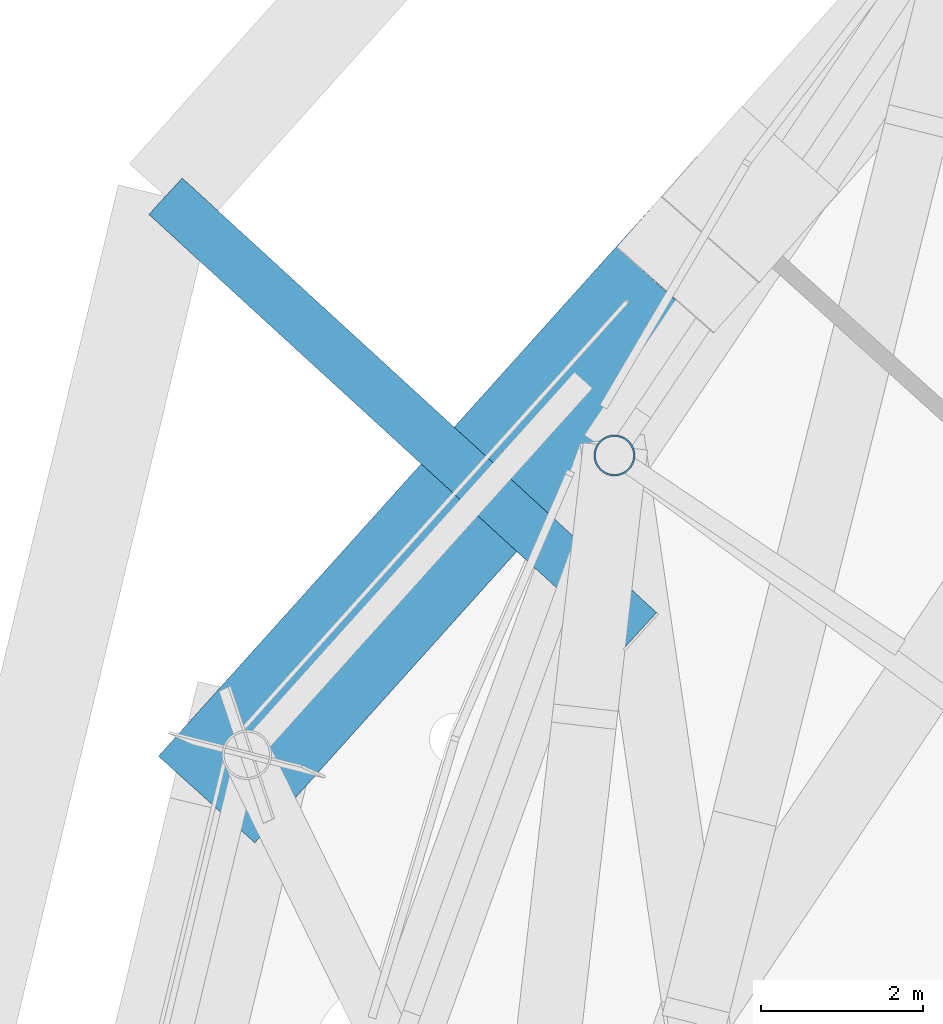
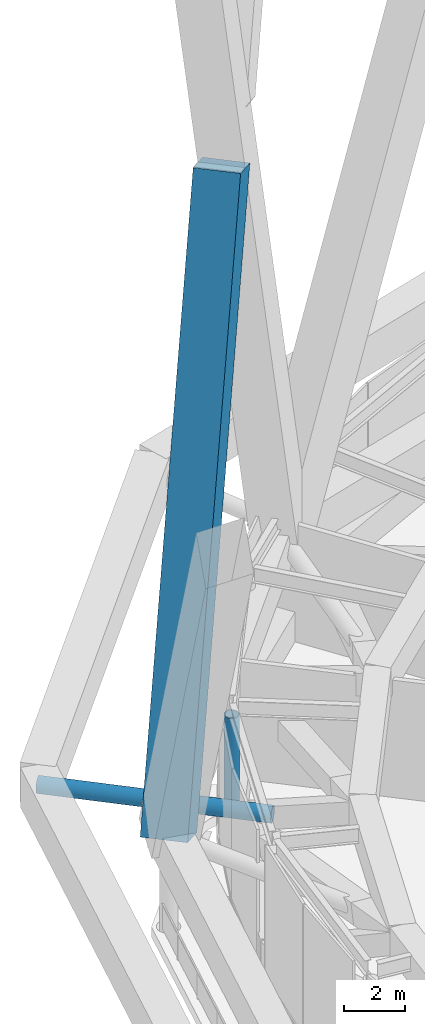
# One storey, part 23 of 65: 3 members.
"""IFC4 building model written with IfcOpenShell, lengths in metres."""

import ifcopenshell
import ifcopenshell.guid

model = None  # the IFC model being written
_history = None  # IfcOwnerHistory: only IFC2X3 demands one
_inside = {}  # id of a spatial element -> (the spatial element, [elements in it])
_under = {}  # id of a project, library or spatial element -> (it, [spatial elements below it])
_declared = {}  # id of a project -> (the project, [libraries it declares])
_typed = {}  # id of a type object -> (the type object, [elements of that type])
_made_of = {}  # id of a material, layer set ... -> (it, [elements and type objects made of it])


def new_model(schema):
    """Start an empty IFC model of exactly this schema.

    Asked for "IFC4X3", IfcOpenShell would pick the latest addendum, in which some entities
    have other attributes; the version numbers below select the first issue.
    IFC2X3 requires an IfcOwnerHistory on every rooted entity: one is made here for all.
    """
    global model, _history
    if schema == "IFC4X3":
        model = ifcopenshell.file(schema_version=(4, 3, 0, 0))
    else:
        model = ifcopenshell.file(schema=schema)
    _inside.clear()
    _under.clear()
    _declared.clear()
    _typed.clear()
    _made_of.clear()
    _history = None
    if model.schema == "IFC2X3":
        org = make("IfcOrganization", Name="unknown")
        user = make(
            "IfcPersonAndOrganization",
            ThePerson=make("IfcPerson", FamilyName="unknown"),
            TheOrganization=org,
        )
        app = make(
            "IfcApplication",
            ApplicationDeveloper=org,
            Version="unknown",
            ApplicationFullName="unknown",
            ApplicationIdentifier="unknown",
        )
        _history = make(
            "IfcOwnerHistory",
            OwningUser=user,
            OwningApplication=app,
            ChangeAction="ADDED",
            CreationDate=0,
        )
    return model


def make(cls, **values):
    """One entity of the class cls with the attributes given. An attribute that is None is left unset."""
    return model.create_entity(
        cls, **{name: value for name, value in values.items() if value is not None}
    )


def rooted(cls, **values):
    """An entity with a GlobalId (a new one), such as an element, a storey or a relation."""
    return make(cls, GlobalId=ifcopenshell.guid.new(), OwnerHistory=_history, **values)


def si_unit(unit_type, name, prefix=None):
    """IfcSIUnit, for example si_unit("LENGTHUNIT", "METRE", prefix="MILLI")."""
    return make("IfcSIUnit", UnitType=unit_type, Prefix=prefix, Name=name)


def assignment(units):
    """IfcUnitAssignment: the units of a project."""
    return None if units is None else make("IfcUnitAssignment", Units=units)


def point(xyz):
    """IfcCartesianPoint."""
    return None if xyz is None else make("IfcCartesianPoint", Coordinates=xyz)


def direction(xyz):
    """IfcDirection."""
    return None if xyz is None else make("IfcDirection", DirectionRatios=xyz)


def frame(location, z_axis=None, x_axis=None):
    """IfcAxis2Placement3D, a coordinate frame: its origin and axes. An axis left out is left unset."""
    return make(
        "IfcAxis2Placement3D",
        Location=point(location),
        Axis=direction(z_axis),
        RefDirection=direction(x_axis),
    )


def frame_2d(location, x_axis=None):
    """IfcAxis2Placement2D, a coordinate frame in the plane: its origin and x axis."""
    return make(
        "IfcAxis2Placement2D", Location=point(location), RefDirection=direction(x_axis)
    )


def origin():
    """The frame at (0, 0, 0) with its axes left unset."""
    return frame((0.0, 0.0, 0.0))


def origin_2d():
    """The frame at (0, 0) in the plane with its x axis left unset."""
    return frame_2d((0.0, 0.0))


def place(relative_to, where):
    """IfcLocalPlacement: puts the frame where relative to a parent placement (None: the world)."""
    return make(
        "IfcLocalPlacement", PlacementRelTo=relative_to, RelativePlacement=where
    )


def context(
    kind, dimensions, precision=None, world=None, true_north=None, identifier=None
):
    """IfcGeometricRepresentationContext, for example the 3D "Model" context."""
    return make(
        "IfcGeometricRepresentationContext",
        ContextIdentifier=identifier,
        ContextType=kind,
        CoordinateSpaceDimension=dimensions,
        Precision=precision,
        WorldCoordinateSystem=world,
        TrueNorth=true_north,
    )


def subcontext(parent, identifier, kind, view, scale=None):
    """IfcGeometricRepresentationSubContext, for example "Body" below "Model"."""
    return make(
        "IfcGeometricRepresentationSubContext",
        ContextIdentifier=identifier,
        ContextType=kind,
        ParentContext=parent,
        TargetScale=scale,
        TargetView=view,
    )


def project(units=None, contexts=None):
    """IfcProject with its units and contexts."""
    return rooted(
        "IfcProject",
        Name="project",
        RepresentationContexts=contexts,
        UnitsInContext=assignment(units),
    )


def spatial(cls, under=None, at=None, **own):
    """A site, building, storey or space (cls), placed at a placement, below another one or the project."""
    s = rooted(cls, ObjectPlacement=at, **own)
    if under is not None:
        _under.setdefault(under.id(), (under, []))[1].append(s)
    return s


def profile(cls, at=None, kind="AREA", **sizes):
    """A parametric profile (cls). Its sizes go by their IFC names, for example OverallWidth=200.0."""
    return make(cls, ProfileType=kind, Position=at, **sizes)


def rectangle(**sizes):
    """IfcRectangleProfileDef."""
    return profile("IfcRectangleProfileDef", **sizes)


def hollow_circle(**sizes):
    """IfcCircleHollowProfileDef."""
    return profile("IfcCircleHollowProfileDef", **sizes)


def extrude(swept, where, along, depth):
    """IfcExtrudedAreaSolid: the profile swept, set in the frame where, extruded along a direction by depth."""
    return make(
        "IfcExtrudedAreaSolid",
        SweptArea=swept,
        Position=where,
        ExtrudedDirection=direction(along),
        Depth=depth,
    )


def shape(context_of_items, identifier, shape_type, items):
    """IfcShapeRepresentation: the items that make up one representation, for example the "Body"."""
    return make(
        "IfcShapeRepresentation",
        ContextOfItems=context_of_items,
        RepresentationIdentifier=identifier,
        RepresentationType=shape_type,
        Items=items,
    )


def material(Name=None, Category=None):
    """IfcMaterial."""
    return make("IfcMaterial", Name=Name, Category=Category)


def material_profile(
    of_material, cross_section, Name=None, Category=None, Priority=None
):
    """IfcMaterialProfile: a cross section and its material."""
    return make(
        "IfcMaterialProfile",
        Name=Name,
        Material=of_material,
        Profile=cross_section,
        Priority=Priority,
        Category=Category,
    )


def profile_set(profiles, Name=None, composite=None):
    """IfcMaterialProfileSet."""
    return make(
        "IfcMaterialProfileSet",
        Name=Name,
        MaterialProfiles=profiles,
        CompositeProfile=composite,
    )


def made_of(thing, what):
    """Note that an element or type object is made of a material, layer set ...; save() writes the relation."""
    if what is not None:
        _made_of.setdefault(what.id(), (what, []))[1].append(thing)
    return thing


def type_object(cls, material=None, **own):
    """A type object (cls), such as IfcWallType, which elements share."""
    return made_of(rooted(cls, **own), material)


def element(
    cls,
    number,
    at=None,
    inside=None,
    cuts=None,
    type_object=None,
    material=None,
    context=None,
    identifier="Body",
    shape_type=None,
    held_by="IfcProductDefinitionShape",
    body=None,
    shapes=None,
    **own,
):
    """One element of the class cls, such as IfcWall. Its Tag is "e" and its number.

    at: its placement. inside: the storey or other place that contains it. cuts: it is an
    opening in that element (IfcRelVoidsElement). A single representation is given by context,
    identifier, shape_type and body (its items); several are given by shapes. held_by: the class
    of the entity that holds the representations. save() writes the other relations.
    """
    e = rooted(cls, Tag="e%d" % number, ObjectPlacement=at, **own)
    if body is not None:
        shapes = [shape(context, identifier, shape_type, body)]
    if shapes is not None:
        e.Representation = make(held_by, Representations=shapes)
    if inside is not None:
        _inside.setdefault(inside.id(), (inside, []))[1].append(e)
    if cuts is not None:
        rooted(
            "IfcRelVoidsElement", RelatingBuildingElement=cuts, RelatedOpeningElement=e
        )
    if type_object is not None:
        _typed.setdefault(type_object.id(), (type_object, []))[1].append(e)
    return made_of(e, material)


def aggregate(whole, parts):
    """IfcRelAggregates: a whole, such as a stair, and the parts it consists of."""
    return rooted("IfcRelAggregates", RelatingObject=whole, RelatedObjects=parts)


def save(model, path):
    """Write the relations noted so far, then the file.

    IfcRelAggregates (storeys below a building ...), IfcRelContainedInSpatialStructure (elements
    in a storey), IfcRelDefinesByType, IfcRelAssociatesMaterial and IfcRelDeclares: one each for
    every whole, place, type object, material and project.
    """
    for whole, parts in _under.values():
        aggregate(whole, parts)
    for where, things in _inside.values():
        rooted(
            "IfcRelContainedInSpatialStructure",
            RelatedElements=things,
            RelatingStructure=where,
        )
    for kind, things in _typed.values():
        rooted("IfcRelDefinesByType", RelatedObjects=things, RelatingType=kind)
    for what, things in _made_of.values():
        rooted("IfcRelAssociatesMaterial", RelatedObjects=things, RelatingMaterial=what)
    for by, libraries in _declared.values():
        rooted("IfcRelDeclares", RelatingContext=by, RelatedDefinitions=libraries)
    model.write(path)


model = new_model("IFC4")

# Units and contexts
model_context = context("Model", 3, precision=1e-05, world=origin(), true_north=direction((0.0, 1.0)))
body_context = subcontext(model_context, "Body", "Model", "MODEL_VIEW")
ifc_project = project(units=[si_unit("LENGTHUNIT", "METRE"), si_unit("AREAUNIT", "SQUARE_METRE"), si_unit("VOLUMEUNIT", "CUBIC_METRE"), si_unit("PLANEANGLEUNIT", "RADIAN"), si_unit("MASSUNIT", "GRAM", prefix="KILO")], contexts=[model_context])

# Site, building, storey
site_placement = place(None, origin())
site = spatial("IfcSite", under=ifc_project, at=site_placement, CompositionType="ELEMENT")
building_placement = place(site_placement, origin())
building = spatial("IfcBuilding", under=site, at=building_placement, Name="Nagisa Residences", CompositionType="ELEMENT")
storey_placement = place(building_placement, frame((0.0, 0.0, 114.0)))
storey = spatial("IfcBuildingStorey", under=building, at=storey_placement, Name="L28", CompositionType="ELEMENT", Elevation=114.0)

# Members
ifc_material_1 = material(Name="Concrete C80", Category="concrete")
ifc_material_profile_1 = material_profile(ifc_material_1, rectangle(XDim=1.60009765625, YDim=1.60009765625, at=origin_2d()), Name="C80 1600x1600")
ifc_profile_set_1 = profile_set([ifc_material_profile_1], Name="Concrete C80")
member_type_1 = type_object("IfcMemberType", Name="Cage diagonal 3 C80 1600x1600", PredefinedType="BRACE", material=ifc_profile_set_1)
member_1_placement = place(storey_placement, frame((-29.8896484375, 14.9296875, 3.699951171875), z_axis=(0.247785828674, 0.275736104391, 0.928747427368), x_axis=(-0.743799155472, 0.668403183953, 0.0)))
element("IfcMember", 1, at=member_1_placement, inside=storey, type_object=member_type_1, Name="mem:L28:cg3d010a", PredefinedType="BRACE", context=body_context, shape_type="SweptSolid", body=[
    extrude(rectangle(XDim=1.60009765625, YDim=1.60009765625, at=origin_2d()), origin(), (0.0, 0.0, 1.0), 22.8154296875),
])
ifc_material_2 = material(Name="Steel ASTM A572 Gr 65", Category="steel")
ifc_material_profile_2 = material_profile(ifc_material_2, hollow_circle(Radius=0.304931640625, WallThickness=0.02490234375, at=origin_2d()), Name="CHS 610x25")
ifc_profile_set_2 = profile_set([ifc_material_profile_2], Name="Steel ASTM A572 Gr 65")
member_type_2 = type_object("IfcMemberType", Name="Cage strut CHS 610x25", PredefinedType="STRUT", material=ifc_profile_set_2)
member_2_placement = place(storey_placement, frame((-30.89404296875, 21.8251953125, 1.89990234375), z_axis=(0.73743729435, -0.675415603094, 0.0), x_axis=(0.675415603094, 0.73743729435, 0.0)))
element("IfcMember", 2, at=member_2_placement, inside=storey, type_object=member_type_2, Name="mem:L28:bt2st2a06", PredefinedType="STRUT", context=body_context, shape_type="SweptSolid", body=[
    extrude(hollow_circle(Radius=0.304931640625, WallThickness=0.02490234375, at=origin_2d()), origin(), (0.0, 0.0, 1.0), 7.943603515625),
])
ifc_material_3 = material(Name="Steel ASTM A572 Gr 65", Category="steel")
ifc_material_profile_3 = material_profile(ifc_material_3, hollow_circle(Radius=0.25390625, WallThickness=0.02001953125, at=origin_2d()), Name="CHS 508x20")
ifc_profile_set_3 = profile_set([ifc_material_profile_3], Name="Steel ASTM A572 Gr 65")
member_type_3 = type_object("IfcMemberType", Name="Garden edge post CHS 508x20", PredefinedType="POST", material=ifc_profile_set_3)
member_3_placement = place(storey_placement, frame((-25.3515625, 18.625244140625, 1.199951171875), z_axis=(0.0, 0.0, 1.0), x_axis=(1.0, 0.0, 0.0)))
element("IfcMember", 3, at=member_3_placement, inside=storey, type_object=member_type_3, Name="mem:L28:gp211", PredefinedType="POST", context=body_context, shape_type="SweptSolid", body=[
    extrude(hollow_circle(Radius=0.25390625, WallThickness=0.02001953125, at=origin_2d()), origin(), (0.0, 0.0, 1.0), 3.537109375),
])

save(model, "model.ifc")
